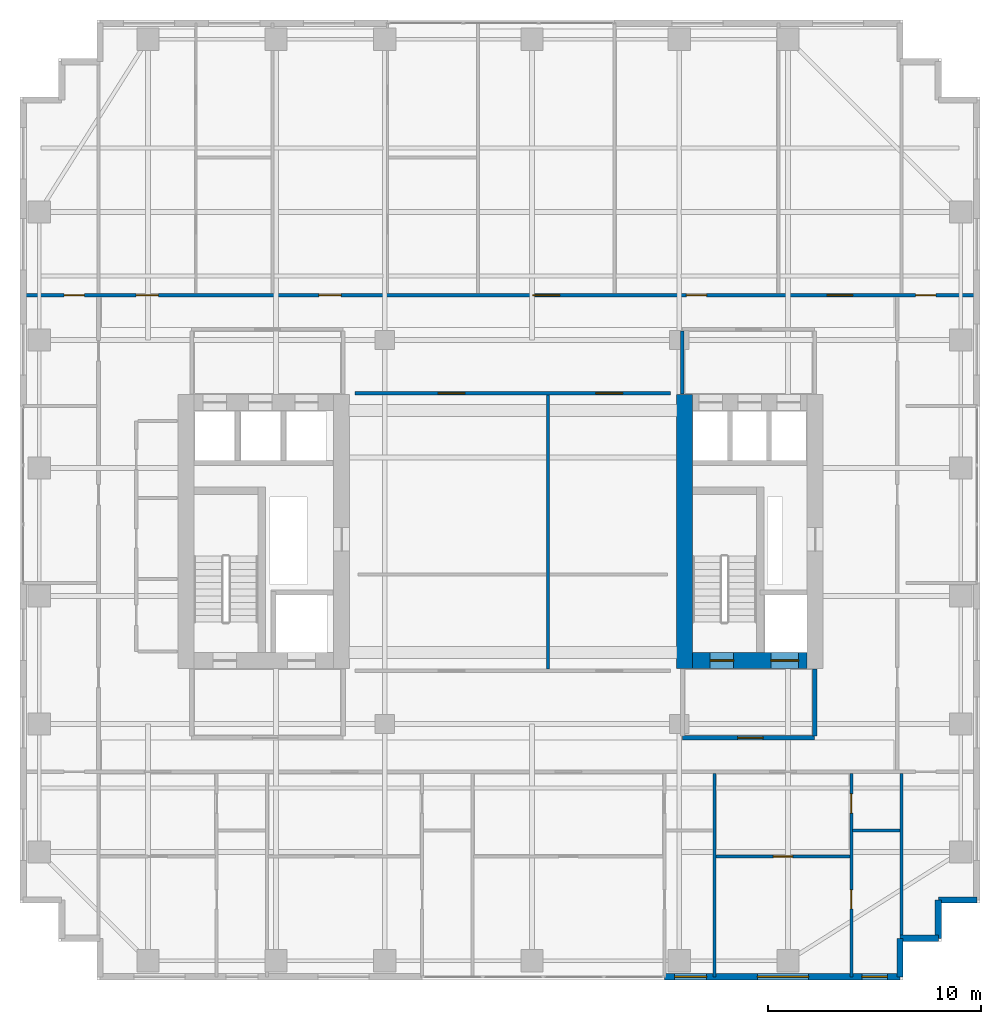
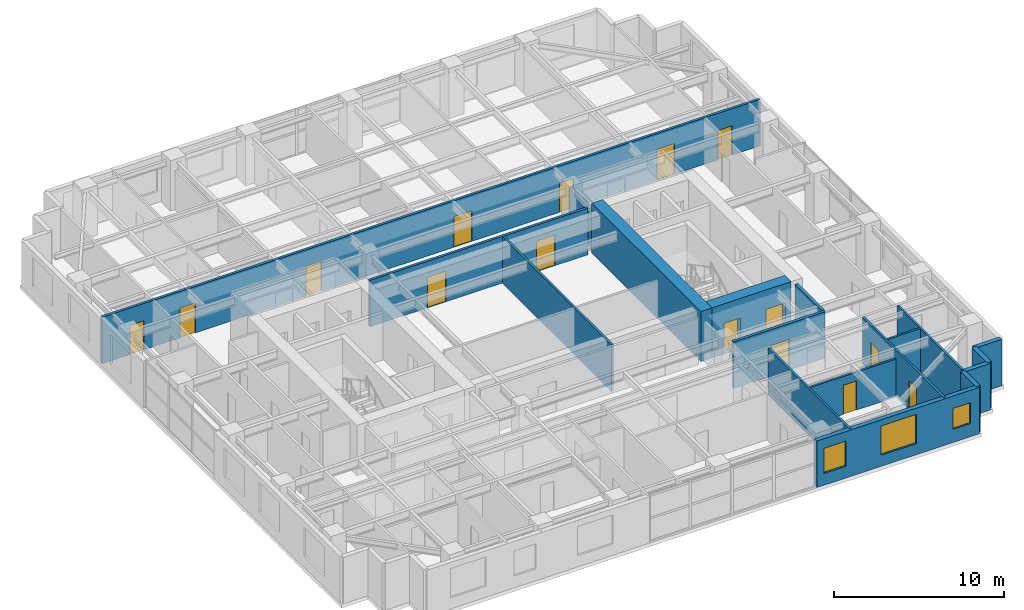
# One storey, part 14 of 20: 18 walls, 15 doors, 3 windows, 18 openings.
"""IFC4 building model written with IfcOpenShell, lengths in metres."""

from ifc_helpers import new_model, si_unit, direction, frame, frame_2d, origin, place, context, subcontext, project, spatial, rectangle, extrude, source, transform, mapped, material, layer, layer_set, type_object, element, fill, save


model = new_model("IFC4")

# Units and contexts
model_context = context("Model", 3, precision=1e-05, world=origin(), true_north=direction((0.0, 1.0)))
body_context = subcontext(model_context, "Body", "Model", "MODEL_VIEW")
ifc_project = project(units=[si_unit("LENGTHUNIT", "METRE"), si_unit("AREAUNIT", "SQUARE_METRE"), si_unit("VOLUMEUNIT", "CUBIC_METRE"), si_unit("PLANEANGLEUNIT", "RADIAN"), si_unit("MASSUNIT", "GRAM", prefix="KILO")], contexts=[model_context])

# Site, building, storey
site_placement = place(None, origin())
site = spatial("IfcSite", under=ifc_project, at=site_placement, CompositionType="ELEMENT")
building_placement = place(site_placement, origin())
building = spatial("IfcBuilding", under=site, at=building_placement, Name="Khoralis Quay Care Tower", CompositionType="ELEMENT")
storey_placement = place(building_placement, frame((0.0, 0.0, 116.10009765625)))
storey = spatial("IfcBuildingStorey", under=building, at=storey_placement, Name="L30", CompositionType="ELEMENT", Elevation=116.10009765625)

# Wall, opening, door
ifc_material_1 = material(Name="Gypsum plasterboard on acoustic metal stud")
ifc_layer_1 = layer(ifc_material_1, 0.199951171875)
ifc_layer_set_1 = layer_set([ifc_layer_1], Name="Gypsum plasterboard on acoustic metal stud")
wall_type_1 = type_object("IfcWallType", Name="WL-COMP-200", PredefinedType="PARTITIONING", material=ifc_layer_set_1)
wall_1_placement = place(storey_placement, frame((31.050048828125, 11.35009765625, 0.0), z_axis=(0.0, 0.0, 1.0), x_axis=(1.0, 0.0, 0.0)))
wall_1 = element("IfcWall", 1, at=wall_1_placement, inside=storey, type_object=wall_type_1, Name="L30 East Firefighting Lobby South Wall", PredefinedType="PARTITIONING", context=body_context, shape_type="SweptSolid", body=[
    extrude(rectangle(XDim=6.199951171875, YDim=0.199951171875, at=frame_2d((3.10009765625, 0.0))), origin(), (0.0, 0.0, 1.0), 3.33984375),
])
opening_1_placement = place(wall_1_placement, frame((2.585693359375, 0.0, 0.0)))
opening_1 = element("IfcOpeningElement", 2, at=opening_1_placement, cuts=wall_1, Name="Opening FD1", PredefinedType="OPENING", context=body_context, shape_type="SweptSolid", body=[
    extrude(rectangle(XDim=1.199951171875, YDim=2.199951171875, at=frame_2d((0.60009765625, 1.10009765625))), frame((0.0, 0.10986328125, 0.0), z_axis=(0.0, -1.0, 0.0), x_axis=(1.0, 0.0, 0.0)), (0.0, 0.0, 1.0), 0.219970703125),
])
ifc_material_2 = material(Name="Fire-rated painted steel", Category="steel")
door_type_1 = type_object("IfcDoorType", Name="DR-FFL-1200X2200", OperationType="NOTDEFINED", PredefinedType="DOOR", material=ifc_material_2)
shared_shape_1 = source(origin(), body_context, "Body", "SweptSolid", [
    extrude(rectangle(XDim=1.199951171875, YDim=2.199951171875, at=frame_2d((0.60009765625, 1.10009765625))), frame((0.0, 0.02490234375, 0.0), z_axis=(0.0, -1.0, 0.0), x_axis=(1.0, 0.0, 0.0)), (0.0, 0.0, 1.0), 0.050048828125),
])
door_1_placement = place(opening_1_placement, origin())
door_1 = element("IfcDoor", 3, at=door_1_placement, inside=storey, type_object=door_type_1, Name="L30 East Firefighting Lobby Fire Door", OperationType="SINGLE_SWING_LEFT", OverallHeight=2.199951171875, OverallWidth=1.199951171875, PredefinedType="DOOR", context=body_context, shape_type="MappedRepresentation", body=[
    mapped(shared_shape_1, transform((0.0, 0.0, 0.0), scale=1.0)),
])
fill(opening_1, door_1)

# Walls
wall_2_placement = place(storey_placement, frame((37.25, 11.445068359375, 0.0), z_axis=(0.0, 0.0, 1.0), x_axis=(0.0, 1.0, 0.0)))
element("IfcWall", 4, at=wall_2_placement, inside=storey, type_object=wall_type_1, Name="L30 East Firefighting Lobby East Wall", PredefinedType="PARTITIONING", context=body_context, shape_type="SweptSolid", body=[
    extrude(rectangle(XDim=3.135009765625, YDim=0.199951171875, at=frame_2d((1.5673828125, 0.0))), origin(), (0.0, 0.0, 1.0), 3.33984375),
])
ifc_material_3 = material(Name="Concrete C80/95", Category="concrete")
ifc_layer_2 = layer(ifc_material_3, 0.75)
ifc_layer_set_2 = layer_set([ifc_layer_2], Name="Concrete C80/95")
wall_type_2 = type_object("IfcWallType", Name="WL-CORE-750", PredefinedType="SHEAR", material=ifc_layer_set_2)
wall_3_placement = place(storey_placement, frame((31.14501953125, 14.60009765625, 0.0), z_axis=(0.0, 0.0, 1.0), x_axis=(0.0, 1.0, 0.0)))
element("IfcWall", 5, at=wall_3_placement, inside=storey, type_object=wall_type_2, Name="L30 ECORE West Shear Wall", PredefinedType="SHEAR", context=body_context, shape_type="SweptSolid", body=[
    extrude(rectangle(XDim=12.849853515625, YDim=0.75, at=frame_2d((6.4248046875, 0.0))), origin(), (0.0, 0.0, 1.0), 3.599853515625),
])

# Wall, openings, doors
wall_4_placement = place(storey_placement, frame((31.52001953125, 14.97509765625, 0.0), z_axis=(0.0, 0.0, 1.0), x_axis=(1.0, 0.0, 0.0)))
wall_4 = element("IfcWall", 6, at=wall_4_placement, inside=storey, type_object=wall_type_2, Name="L30 ECORE South Shear Wall", PredefinedType="SHEAR", context=body_context, shape_type="SweptSolid", body=[
    extrude(rectangle(XDim=5.3798828125, YDim=0.75, at=frame_2d((2.68994140625, 0.0))), origin(), (0.0, 0.0, 1.0), 3.599853515625),
])
opening_2_placement = place(wall_4_placement, frame((0.830078125, 0.0, 0.0)))
opening_2 = element("IfcOpeningElement", 7, at=opening_2_placement, cuts=wall_4, Name="Opening SD1", PredefinedType="OPENING", context=body_context, shape_type="SweptSolid", body=[
    extrude(rectangle(XDim=1.10009765625, YDim=2.199951171875, at=frame_2d((0.550048828125, 1.10009765625))), frame((0.0, 0.385009765625, 0.0), z_axis=(0.0, -1.0, 0.0), x_axis=(1.0, 0.0, 0.0)), (0.0, 0.0, 1.0), 0.77001953125),
])
opening_3_placement = place(wall_4_placement, frame((3.679931640625, 0.0, 0.0)))
opening_3 = element("IfcOpeningElement", 8, at=opening_3_placement, cuts=wall_4, Name="Opening LD2", PredefinedType="OPENING", context=body_context, shape_type="SweptSolid", body=[
    extrude(rectangle(XDim=1.300048828125, YDim=2.199951171875, at=frame_2d((0.64990234375, 1.10009765625))), frame((0.0, 0.385009765625, 0.0), z_axis=(0.0, -1.0, 0.0), x_axis=(1.0, 0.0, 0.0)), (0.0, 0.0, 1.0), 0.77001953125),
])
door_type_2 = type_object("IfcDoorType", Name="DR-STAIR-1100X2200", OperationType="NOTDEFINED", PredefinedType="DOOR", material=ifc_material_2)
shared_shape_2 = source(origin(), body_context, "Body", "SweptSolid", [
    extrude(rectangle(XDim=1.10009765625, YDim=2.199951171875, at=frame_2d((0.550048828125, 1.10009765625))), frame((0.0, 0.02490234375, 0.0), z_axis=(0.0, -1.0, 0.0), x_axis=(1.0, 0.0, 0.0)), (0.0, 0.0, 1.0), 0.050048828125),
])
door_2_placement = place(opening_2_placement, origin())
door_2 = element("IfcDoor", 9, at=door_2_placement, inside=storey, type_object=door_type_2, Name="L30 Stair ST-T2 Fire Door", OperationType="SINGLE_SWING_LEFT", OverallHeight=2.199951171875, OverallWidth=1.10009765625, PredefinedType="DOOR", context=body_context, shape_type="MappedRepresentation", body=[
    mapped(shared_shape_2, transform((0.0, 0.0, 0.0), scale=1.0)),
])
fill(opening_2, door_2)
ifc_material_4 = material(Name="Brushed stainless steel", Category="steel")
door_type_3 = type_object("IfcDoorType", Name="DR-LIFT-1300X2200", OperationType="SLIDING_TO_RIGHT", PredefinedType="DOOR", material=ifc_material_4)
shared_shape_3 = source(origin(), body_context, "Body", "SweptSolid", [
    extrude(rectangle(XDim=1.300048828125, YDim=2.199951171875, at=frame_2d((0.64990234375, 1.10009765625))), frame((0.0, 0.02490234375, 0.0), z_axis=(0.0, -1.0, 0.0), x_axis=(1.0, 0.0, 0.0)), (0.0, 0.0, 1.0), 0.050048828125),
])
door_3_placement = place(opening_3_placement, origin())
door_3 = element("IfcDoor", 10, at=door_3_placement, inside=storey, type_object=door_type_3, Name="L30 Firefighting Lift FFL-2 Landing Door", OperationType="SLIDING_TO_RIGHT", OverallHeight=2.199951171875, OverallWidth=1.300048828125, PredefinedType="DOOR", context=body_context, shape_type="MappedRepresentation", body=[
    mapped(shared_shape_3, transform((0.0, 0.0, 0.0), scale=1.0)),
])
fill(opening_3, door_3)

# Wall
ifc_layer_3 = layer(ifc_material_1, 0.1650390625)
ifc_layer_set_3 = layer_set([ifc_layer_3], Name="Gypsum plasterboard on acoustic metal stud")
wall_type_3 = type_object("IfcWallType", Name="WL-CORR-165", PredefinedType="PARTITIONING", material=ifc_layer_set_3)
wall_5_placement = place(storey_placement, frame((31.050048828125, 27.469970703125, 0.0), z_axis=(0.0, 0.0, 1.0), x_axis=(0.0, 1.0, 0.0)))
element("IfcWall", 11, at=wall_5_placement, inside=storey, type_object=wall_type_3, Name="L30 East Lift Lobby West Wall", PredefinedType="PARTITIONING", context=body_context, shape_type="SweptSolid", body=[
    extrude(rectangle(XDim=2.95263671875, YDim=0.1650390625, at=frame_2d((1.476318359375, 0.0))), origin(), (0.0, 0.0, 1.0), 2.7958984375),
])

# Wall, openings, doors
wall_6_placement = place(storey_placement, frame((0.14501953125, 32.10009765625, 0.0), z_axis=(0.0, 0.0, 1.0), x_axis=(1.0, 0.0, 0.0)))
wall_6 = element("IfcWall", 12, at=wall_6_placement, inside=storey, type_object=wall_type_3, Name="L30 North Main Corridor Wall", PredefinedType="PARTITIONING", context=body_context, shape_type="SweptSolid", body=[
    extrude(rectangle(XDim=44.7099609375, YDim=0.1650390625, at=frame_2d((22.35498046875, 0.0))), origin(), (0.0, 0.0, 1.0), 3.33984375),
])
opening_4_placement = place(wall_6_placement, frame((5.294921875, 0.0, 0.0)))
opening_4 = element("IfcOpeningElement", 13, at=opening_4_placement, cuts=wall_6, Name="Opening UD1", PredefinedType="OPENING", context=body_context, shape_type="SweptSolid", body=[
    extrude(rectangle(XDim=1.050048828125, YDim=2.14990234375, at=frame_2d((0.52490234375, 1.074951171875))), frame((0.0, 0.092529296875, 0.0), z_axis=(0.0, -1.0, 0.0), x_axis=(1.0, 0.0, 0.0)), (0.0, 0.0, 1.0), 0.18505859375),
])
opening_5_placement = place(wall_6_placement, frame((13.863525390625, 0.0, 0.0)))
opening_5 = element("IfcOpeningElement", 14, at=opening_5_placement, cuts=wall_6, Name="Opening UD1", PredefinedType="OPENING", context=body_context, shape_type="SweptSolid", body=[
    extrude(rectangle(XDim=1.050048828125, YDim=2.14990234375, at=frame_2d((0.52490234375, 1.074951171875))), frame((0.0, 0.092529296875, 0.0), z_axis=(0.0, -1.0, 0.0), x_axis=(1.0, 0.0, 0.0)), (0.0, 0.0, 1.0), 0.18505859375),
])
opening_6_placement = place(wall_6_placement, frame((23.89501953125, 0.0, 0.0)))
opening_6 = element("IfcOpeningElement", 15, at=opening_6_placement, cuts=wall_6, Name="Opening CD1", PredefinedType="OPENING", context=body_context, shape_type="SweptSolid", body=[
    extrude(rectangle(XDim=1.25, YDim=2.199951171875, at=frame_2d((0.625, 1.10009765625))), frame((0.0, 0.092529296875, 0.0), z_axis=(0.0, -1.0, 0.0), x_axis=(1.0, 0.0, 0.0)), (0.0, 0.0, 1.0), 0.18505859375),
])
opening_7_placement = place(wall_6_placement, frame((31.090087890625, 0.0, 0.0)))
opening_7 = element("IfcOpeningElement", 16, at=opening_7_placement, cuts=wall_6, Name="Opening ID1", PredefinedType="OPENING", context=body_context, shape_type="SweptSolid", body=[
    extrude(rectangle(XDim=0.949951171875, YDim=2.10009765625, at=frame_2d((0.47509765625, 1.050048828125))), frame((0.0, 0.092529296875, 0.0), z_axis=(0.0, -1.0, 0.0), x_axis=(1.0, 0.0, 0.0)), (0.0, 0.0, 1.0), 0.18505859375),
])
opening_8_placement = place(wall_6_placement, frame((37.68994140625, 0.0, 0.0)))
opening_8 = element("IfcOpeningElement", 17, at=opening_8_placement, cuts=wall_6, Name="Opening FD1", PredefinedType="OPENING", context=body_context, shape_type="SweptSolid", body=[
    extrude(rectangle(XDim=1.199951171875, YDim=2.199951171875, at=frame_2d((0.60009765625, 1.10009765625))), frame((0.0, 0.092529296875, 0.0), z_axis=(0.0, -1.0, 0.0), x_axis=(1.0, 0.0, 0.0)), (0.0, 0.0, 1.0), 0.18505859375),
])
opening_9_placement = place(wall_6_placement, frame((1.919921875, 0.0, 0.0)))
opening_9 = element("IfcOpeningElement", 18, at=opening_9_placement, cuts=wall_6, Name="Opening ID1", PredefinedType="OPENING", context=body_context, shape_type="SweptSolid", body=[
    extrude(rectangle(XDim=0.949951171875, YDim=2.10009765625, at=frame_2d((0.47509765625, 1.050048828125))), frame((0.0, 0.092529296875, 0.0), z_axis=(0.0, -1.0, 0.0), x_axis=(1.0, 0.0, 0.0)), (0.0, 0.0, 1.0), 0.18505859375),
])
opening_10_placement = place(wall_6_placement, frame((41.840087890625, 0.0, 0.0)))
opening_10 = element("IfcOpeningElement", 19, at=opening_10_placement, cuts=wall_6, Name="Opening ID1", PredefinedType="OPENING", context=body_context, shape_type="SweptSolid", body=[
    extrude(rectangle(XDim=0.949951171875, YDim=2.10009765625, at=frame_2d((0.47509765625, 1.050048828125))), frame((0.0, 0.092529296875, 0.0), z_axis=(0.0, -1.0, 0.0), x_axis=(1.0, 0.0, 0.0)), (0.0, 0.0, 1.0), 0.18505859375),
])
door_4_placement = place(opening_8_placement, origin())
door_4 = element("IfcDoor", 20, at=door_4_placement, inside=storey, type_object=door_type_1, Name="L30 Senior Wellness Pharmacy Shop Door", OperationType="DOUBLE_DOOR_SINGLE_SWING", OverallHeight=2.199951171875, OverallWidth=1.199951171875, PredefinedType="DOOR", context=body_context, shape_type="MappedRepresentation", body=[
    mapped(shared_shape_1, transform((0.0, 0.0, 0.0), scale=1.0)),
])
fill(opening_8, door_4)
ifc_material_5 = material(Name="Acoustic hardwood timber", Category="wood")
door_type_4 = type_object("IfcDoorType", Name="DR-CARE-1250X2200", OperationType="NOTDEFINED", PredefinedType="DOOR", material=ifc_material_5)
shared_shape_4 = source(origin(), body_context, "Body", "SweptSolid", [
    extrude(rectangle(XDim=1.25, YDim=2.199951171875, at=frame_2d((0.625, 1.10009765625))), frame((0.0, 0.02490234375, 0.0), z_axis=(0.0, -1.0, 0.0), x_axis=(1.0, 0.0, 0.0)), (0.0, 0.0, 1.0), 0.050048828125),
])
door_5_placement = place(opening_6_placement, origin())
door_5 = element("IfcDoor", 21, at=door_5_placement, inside=storey, type_object=door_type_4, Name="L30 Geriatric Consultation Clinic Door", OperationType="SINGLE_SWING_RIGHT", OverallHeight=2.199951171875, OverallWidth=1.25, PredefinedType="DOOR", context=body_context, shape_type="MappedRepresentation", body=[
    mapped(shared_shape_4, transform((0.0, 0.0, 0.0), scale=1.0)),
])
fill(opening_6, door_5)
door_type_5 = type_object("IfcDoorType", Name="DR-ROOM-950X2100", OperationType="NOTDEFINED", PredefinedType="DOOR", material=ifc_material_5)
shared_shape_5 = source(origin(), body_context, "Body", "SweptSolid", [
    extrude(rectangle(XDim=0.949951171875, YDim=2.10009765625, at=frame_2d((0.47509765625, 1.050048828125))), frame((0.0, 0.02490234375, 0.0), z_axis=(0.0, -1.0, 0.0), x_axis=(1.0, 0.0, 0.0)), (0.0, 0.0, 1.0), 0.050048828125),
])
door_6_placement = place(opening_7_placement, origin())
door_6 = element("IfcDoor", 22, at=door_6_placement, inside=storey, type_object=door_type_5, Name="L30 Family Case Conference Room Door", OperationType="SINGLE_SWING_RIGHT", OverallHeight=2.10009765625, OverallWidth=0.949951171875, PredefinedType="DOOR", context=body_context, shape_type="MappedRepresentation", body=[
    mapped(shared_shape_5, transform((0.0, 0.0, 0.0), scale=1.0)),
])
fill(opening_7, door_6)
door_7_placement = place(opening_9_placement, origin())
door_7 = element("IfcDoor", 23, at=door_7_placement, inside=storey, type_object=door_type_5, Name="L30 NW Corner Door", OperationType="SINGLE_SWING_RIGHT", OverallHeight=2.10009765625, OverallWidth=0.949951171875, PredefinedType="DOOR", context=body_context, shape_type="MappedRepresentation", body=[
    mapped(shared_shape_5, transform((0.0, 0.0, 0.0), scale=1.0)),
])
fill(opening_9, door_7)
door_8_placement = place(opening_10_placement, origin())
door_8 = element("IfcDoor", 24, at=door_8_placement, inside=storey, type_object=door_type_5, Name="L30 NE Corner Door", OperationType="SINGLE_SWING_LEFT", OverallHeight=2.10009765625, OverallWidth=0.949951171875, PredefinedType="DOOR", context=body_context, shape_type="MappedRepresentation", body=[
    mapped(shared_shape_5, transform((0.0, 0.0, 0.0), scale=1.0)),
])
fill(opening_10, door_8)
door_type_6 = type_object("IfcDoorType", Name="DR-SUITE-1050X2150", OperationType="NOTDEFINED", PredefinedType="DOOR", material=ifc_material_5)
shared_shape_6 = source(origin(), body_context, "Body", "SweptSolid", [
    extrude(rectangle(XDim=1.050048828125, YDim=2.14990234375, at=frame_2d((0.52490234375, 1.074951171875))), frame((0.0, 0.02490234375, 0.0), z_axis=(0.0, -1.0, 0.0), x_axis=(1.0, 0.0, 0.0)), (0.0, 0.0, 1.0), 0.050048828125),
])
door_9_placement = place(opening_4_placement, origin())
door_9 = element("IfcDoor", 25, at=door_9_placement, inside=storey, type_object=door_type_6, Name="L30 Studio NB0 Entrance", OperationType="SINGLE_SWING_RIGHT", OverallHeight=2.14990234375, OverallWidth=1.050048828125, PredefinedType="DOOR", context=body_context, shape_type="MappedRepresentation", body=[
    mapped(shared_shape_6, transform((0.0, 0.0, 0.0), scale=1.0)),
])
fill(opening_4, door_9)
door_10_placement = place(opening_5_placement, origin())
door_10 = element("IfcDoor", 26, at=door_10_placement, inside=storey, type_object=door_type_6, Name="L30 Studio NB1 Entrance", OperationType="SINGLE_SWING_LEFT", OverallHeight=2.14990234375, OverallWidth=1.050048828125, PredefinedType="DOOR", context=body_context, shape_type="MappedRepresentation", body=[
    mapped(shared_shape_6, transform((0.0, 0.0, 0.0), scale=1.0)),
])
fill(opening_5, door_10)

wall_7_placement = place(storey_placement, frame((15.699951171875, 27.5, 0.0), z_axis=(0.0, 0.0, 1.0), x_axis=(1.0, 0.0, 0.0)))
wall_7 = element("IfcWall", 27, at=wall_7_placement, inside=storey, type_object=wall_type_3, Name="L30 Central Clinical North Wall", PredefinedType="PARTITIONING", context=body_context, shape_type="SweptSolid", body=[
    extrude(rectangle(XDim=14.800048828125, YDim=0.1650390625, at=frame_2d((7.39990234375, 0.0))), origin(), (0.0, 0.0, 1.0), 3.33984375),
])
opening_11_placement = place(wall_7_placement, frame((3.89990234375, 0.0, 0.0)))
opening_11 = element("IfcOpeningElement", 28, at=opening_11_placement, cuts=wall_7, Name="Opening CD1", PredefinedType="OPENING", context=body_context, shape_type="SweptSolid", body=[
    extrude(rectangle(XDim=1.25, YDim=2.199951171875, at=frame_2d((0.625, 1.10009765625))), frame((0.0, 0.092529296875, 0.0), z_axis=(0.0, -1.0, 0.0), x_axis=(1.0, 0.0, 0.0)), (0.0, 0.0, 1.0), 0.18505859375),
])
opening_12_placement = place(wall_7_placement, frame((11.300048828125, 0.0, 0.0)))
opening_12 = element("IfcOpeningElement", 29, at=opening_12_placement, cuts=wall_7, Name="Opening CD1", PredefinedType="OPENING", context=body_context, shape_type="SweptSolid", body=[
    extrude(rectangle(XDim=1.25, YDim=2.199951171875, at=frame_2d((0.625, 1.10009765625))), frame((0.0, 0.092529296875, 0.0), z_axis=(0.0, -1.0, 0.0), x_axis=(1.0, 0.0, 0.0)), (0.0, 0.0, 1.0), 0.18505859375),
])
door_11_placement = place(opening_11_placement, frame((1.25, 0.0, 0.0), z_axis=(0.0, 0.0, 1.0), x_axis=(-1.0, 0.0, 0.0)))
door_11 = element("IfcDoor", 30, at=door_11_placement, inside=storey, type_object=door_type_4, Name="L30 Library Lounge Door", OperationType="SINGLE_SWING_LEFT", OverallHeight=2.199951171875, OverallWidth=1.25, PredefinedType="DOOR", context=body_context, shape_type="MappedRepresentation", body=[
    mapped(shared_shape_4, transform((0.0, 0.0, 0.0), scale=1.0)),
])
fill(opening_11, door_11)
door_12_placement = place(opening_12_placement, frame((1.25, 0.0, 0.0), z_axis=(0.0, 0.0, 1.0), x_axis=(-1.0, 0.0, 0.0)))
door_12 = element("IfcDoor", 31, at=door_12_placement, inside=storey, type_object=door_type_4, Name="L30 Occupational Therapy Door", OperationType="SINGLE_SWING_RIGHT", OverallHeight=2.199951171875, OverallWidth=1.25, PredefinedType="DOOR", context=body_context, shape_type="MappedRepresentation", body=[
    mapped(shared_shape_4, transform((0.0, 0.0, 0.0), scale=1.0)),
])
fill(opening_12, door_12)

# Wall, openings, windows
ifc_material_6 = material(Name="Precast concrete C45/55", Category="concrete")
ifc_layer_4 = layer(ifc_material_6, 0.300048828125)
ifc_layer_set_4 = layer_set([ifc_layer_4], Name="Precast concrete C45/55")
wall_type_4 = type_object("IfcWallType", Name="WL-EXT-REF-300", PredefinedType="SOLIDWALL", material=ifc_layer_set_4)
wall_8_placement = place(storey_placement, frame((30.2099609375, 0.14990234375, 0.0), z_axis=(0.0, 0.0, 1.0), x_axis=(1.0, 0.0, 0.0)))
wall_8 = element("IfcWall", 32, at=wall_8_placement, inside=storey, type_object=wall_type_4, Name="L30 External Facade Wall WL-EXT-L30-P1-E0B", PredefinedType="SOLIDWALL", context=body_context, shape_type="SweptSolid", body=[
    extrude(rectangle(XDim=11.0400390625, YDim=0.300048828125, at=frame_2d((5.52001953125, 0.0))), origin(), (0.0, 0.0, 1.0), 3.33984375),
])
opening_13_placement = place(wall_8_placement, frame((0.47509765625, 0.0, 0.85009765625)))
opening_13 = element("IfcOpeningElement", 33, at=opening_13_placement, cuts=wall_8, Name="Opening W3", PredefinedType="OPENING", context=body_context, shape_type="SweptSolid", body=[
    extrude(rectangle(XDim=1.5, YDim=1.800048828125, at=frame_2d((0.75, 0.89990234375))), frame((0.0, 0.16015625, 0.0), z_axis=(0.0, -1.0, 0.0), x_axis=(1.0, 0.0, 0.0)), (0.0, 0.0, 1.0), 0.320068359375),
])
opening_14_placement = place(wall_8_placement, frame((4.35498046875, 0.0, 0.800048828125)))
opening_14 = element("IfcOpeningElement", 34, at=opening_14_placement, cuts=wall_8, Name="Opening W1", PredefinedType="OPENING", context=body_context, shape_type="SweptSolid", body=[
    extrude(rectangle(XDim=2.39990234375, YDim=2.10009765625, at=frame_2d((1.199951171875, 1.050048828125))), frame((0.0, 0.16015625, 0.0), z_axis=(0.0, -1.0, 0.0), x_axis=(1.0, 0.0, 0.0)), (0.0, 0.0, 1.0), 0.320068359375),
])
opening_15_placement = place(wall_8_placement, frame((9.25, 0.0, 0.949951171875)))
opening_15 = element("IfcOpeningElement", 35, at=opening_15_placement, cuts=wall_8, Name="Opening W6", PredefinedType="OPENING", context=body_context, shape_type="SweptSolid", body=[
    extrude(rectangle(XDim=1.199951171875, YDim=1.5, at=frame_2d((0.60009765625, 0.75))), frame((0.0, 0.16015625, 0.0), z_axis=(0.0, -1.0, 0.0), x_axis=(1.0, 0.0, 0.0)), (0.0, 0.0, 1.0), 0.320068359375),
])
ifc_material_7 = material(Name="Low-E solar-control double glazing", Category="glass")
window_type_1 = type_object("IfcWindowType", Name="WN-CLIN-1500X1800", PartitioningType="SINGLE_PANEL", PredefinedType="WINDOW", material=ifc_material_7)
shared_shape_7 = source(origin(), body_context, "Body", "SweptSolid", [
    extrude(rectangle(XDim=1.5, YDim=1.800048828125, at=frame_2d((0.75, 0.89990234375))), frame((0.0, 0.030029296875, 0.0), z_axis=(0.0, -1.0, 0.0), x_axis=(1.0, 0.0, 0.0)), (0.0, 0.0, 1.0), 0.06005859375),
])
window_1_placement = place(opening_13_placement, origin())
window_1 = element("IfcWindow", 36, at=window_1_placement, inside=storey, type_object=window_type_1, Name="WN-L30-P1-E0B Facade Window 01", OverallHeight=1.800048828125, OverallWidth=1.5, PartitioningType="SINGLE_PANEL", PredefinedType="WINDOW", context=body_context, shape_type="MappedRepresentation", body=[
    mapped(shared_shape_7, transform((0.0, 0.0, 0.0), scale=1.0)),
])
fill(opening_13, window_1)
window_type_2 = type_object("IfcWindowType", Name="WN-POD-2400X2100", PartitioningType="SINGLE_PANEL", PredefinedType="WINDOW", material=ifc_material_7)
shared_shape_8 = source(origin(), body_context, "Body", "SweptSolid", [
    extrude(rectangle(XDim=2.39990234375, YDim=2.10009765625, at=frame_2d((1.199951171875, 1.050048828125))), frame((0.0, 0.030029296875, 0.0), z_axis=(0.0, -1.0, 0.0), x_axis=(1.0, 0.0, 0.0)), (0.0, 0.0, 1.0), 0.06005859375),
])
window_2_placement = place(opening_14_placement, origin())
window_2 = element("IfcWindow", 37, at=window_2_placement, inside=storey, type_object=window_type_2, Name="WN-L30-P1-E0B Facade Window 02", OverallHeight=2.10009765625, OverallWidth=2.39990234375, PartitioningType="SINGLE_PANEL", PredefinedType="WINDOW", context=body_context, shape_type="MappedRepresentation", body=[
    mapped(shared_shape_8, transform((0.0, 0.0, 0.0), scale=1.0)),
])
fill(opening_14, window_2)
window_type_3 = type_object("IfcWindowType", Name="WN-SCH-1200X1500", PartitioningType="SINGLE_PANEL", PredefinedType="WINDOW", material=ifc_material_7)
shared_shape_9 = source(origin(), body_context, "Body", "SweptSolid", [
    extrude(rectangle(XDim=1.199951171875, YDim=1.5, at=frame_2d((0.60009765625, 0.75))), frame((0.0, 0.030029296875, 0.0), z_axis=(0.0, -1.0, 0.0), x_axis=(1.0, 0.0, 0.0)), (0.0, 0.0, 1.0), 0.06005859375),
])
window_3_placement = place(opening_15_placement, origin())
window_3 = element("IfcWindow", 38, at=window_3_placement, inside=storey, type_object=window_type_3, Name="WN-L30-P1-E0B Facade Window 03", OverallHeight=1.5, OverallWidth=1.199951171875, PartitioningType="SINGLE_PANEL", PredefinedType="WINDOW", context=body_context, shape_type="MappedRepresentation", body=[
    mapped(shared_shape_9, transform((0.0, 0.0, 0.0), scale=1.0)),
])
fill(opening_15, window_3)

# Walls
for number, where, z_axis, x_axis, name in (
    (39, (41.25, 0.14990234375, 0.0), (0.0, 0.0, 1.0), (0.0, 1.0, 0.0), "L30 External Facade Wall WL-EXT-L30-P1-C1"),
    (40, (41.25, 1.949951171875, 0.0), (0.0, 0.0, 1.0), (1.0, 0.0, 0.0), "L30 External Facade Wall WL-EXT-L30-P1-C2"),
    (41, (43.050048828125, 1.949951171875, 0.0), (0.0, 0.0, 1.0), (0.0, 1.0, 0.0), "L30 External Facade Wall WL-EXT-L30-P1-C3"),
    (42, (43.050048828125, 3.75, 0.0), (0.0, 0.0, 1.0), (1.0, 0.0, 0.0), "L30 External Facade Wall WL-EXT-L30-P1-C4"),
):
    element("IfcWall", number, at=place(storey_placement, frame(where, z_axis=z_axis, x_axis=x_axis)), inside=storey, type_object=wall_type_4, Name=name, PredefinedType="SOLIDWALL", context=body_context, shape_type="SweptSolid", body=[
        extrude(rectangle(XDim=1.800048828125, YDim=0.300048828125, at=frame_2d((0.89990234375, 0.0))), origin(), (0.0, 0.0, 1.0), 3.33984375),
    ])

# Wall, openings, doors
ifc_material_8 = material(Name="Moisture-resistant gypsum and ceramic tile")
ifc_layer_5 = layer(ifc_material_8, 0.280029296875)
ifc_layer_set_5 = layer_set([ifc_layer_5], Name="Moisture-resistant gypsum and ceramic tile")
wall_type_5 = type_object("IfcWallType", Name="WL-PLUMB-280", PredefinedType="PLUMBINGWALL", material=ifc_layer_set_5)
wall_9_placement = place(storey_placement, frame((38.969970703125, 0.14501953125, 0.0), z_axis=(0.0, 0.0, 1.0), x_axis=(0.0, 1.0, 0.0)))
wall_9 = element("IfcWall", 43, at=wall_9_placement, inside=storey, type_object=wall_type_5, Name="L30 Care Suite 3 En-Suite Wall V", PredefinedType="PLUMBINGWALL", context=body_context, shape_type="SweptSolid", body=[
    extrude(rectangle(XDim=9.53759765625, YDim=0.139892578125, at=frame_2d((4.768798828125, 0.0))), origin(), (0.0, 0.0, 1.0), 3.33984375),
])
opening_16_placement = place(wall_9_placement, frame((7.675048828125, 0.0, 0.0)))
opening_16 = element("IfcOpeningElement", 44, at=opening_16_placement, cuts=wall_9, Name="Opening WD1", PredefinedType="OPENING", context=body_context, shape_type="SweptSolid", body=[
    extrude(rectangle(XDim=0.89990234375, YDim=2.10009765625, at=frame_2d((0.449951171875, 1.050048828125))), frame((0.0, 0.080078125, 0.0), z_axis=(0.0, -1.0, 0.0), x_axis=(1.0, 0.0, 0.0)), (0.0, 0.0, 1.0), 0.159912109375),
])
opening_17_placement = place(wall_9_placement, frame((3.18505859375, 0.0, 0.0)))
opening_17 = element("IfcOpeningElement", 45, at=opening_17_placement, cuts=wall_9, Name="Opening WD1", PredefinedType="OPENING", context=body_context, shape_type="SweptSolid", body=[
    extrude(rectangle(XDim=0.89990234375, YDim=2.10009765625, at=frame_2d((0.449951171875, 1.050048828125))), frame((0.0, 0.080078125, 0.0), z_axis=(0.0, -1.0, 0.0), x_axis=(1.0, 0.0, 0.0)), (0.0, 0.0, 1.0), 0.159912109375),
])
door_type_7 = type_object("IfcDoorType", Name="DR-BATH-900X2100", OperationType="NOTDEFINED", PredefinedType="DOOR", material=ifc_material_5)
shared_shape_10 = source(origin(), body_context, "Body", "SweptSolid", [
    extrude(rectangle(XDim=0.89990234375, YDim=2.10009765625, at=frame_2d((0.449951171875, 1.050048828125))), frame((0.0, 0.02490234375, 0.0), z_axis=(0.0, -1.0, 0.0), x_axis=(1.0, 0.0, 0.0)), (0.0, 0.0, 1.0), 0.050048828125),
])
door_13_placement = place(opening_16_placement, frame((0.89990234375, 0.0, 0.0), z_axis=(0.0, 0.0, 1.0), x_axis=(-1.0, 0.0, 0.0)))
door_13 = element("IfcDoor", 46, at=door_13_placement, inside=storey, type_object=door_type_7, Name="L30 Care CENS Door", OperationType="SINGLE_SWING_RIGHT", OverallHeight=2.10009765625, OverallWidth=0.89990234375, PredefinedType="DOOR", context=body_context, shape_type="MappedRepresentation", body=[
    mapped(shared_shape_10, transform((0.0, 0.0, 0.0), scale=1.0)),
])
fill(opening_16, door_13)
door_14_placement = place(opening_17_placement, frame((0.89990234375, 0.0, 0.0), z_axis=(0.0, 0.0, 1.0), x_axis=(-1.0, 0.0, 0.0)))
door_14 = element("IfcDoor", 47, at=door_14_placement, inside=storey, type_object=door_type_7, Name="L30 Care CSIT Door", OperationType="SINGLE_SWING_LEFT", OverallHeight=2.10009765625, OverallWidth=0.89990234375, PredefinedType="DOOR", context=body_context, shape_type="MappedRepresentation", body=[
    mapped(shared_shape_10, transform((0.0, 0.0, 0.0), scale=1.0)),
])
fill(opening_17, door_14)

# Walls
wall_10_placement = place(storey_placement, frame((39.034912109375, 7.010009765625, 0.0), z_axis=(0.0, 0.0, 1.0), x_axis=(1.0, 0.0, 0.0)))
element("IfcWall", 48, at=wall_10_placement, inside=storey, type_object=wall_type_5, Name="L30 Care Suite 3 En-Suite Wall H", PredefinedType="PLUMBINGWALL", context=body_context, shape_type="SweptSolid", body=[
    extrude(rectangle(XDim=2.219970703125, YDim=0.139892578125, at=frame_2d((1.10986328125, 0.0))), origin(), (0.0, 0.0, 1.0), 3.33984375),
])
ifc_layer_6 = layer(ifc_material_1, 0.139892578125)
ifc_layer_set_6 = layer_set([ifc_layer_6], Name="Gypsum plasterboard on acoustic metal stud")
wall_type_6 = type_object("IfcWallType", Name="WL-UNIT-140", PredefinedType="PARTITIONING", material=ifc_layer_set_6)
wall_11_placement = place(storey_placement, frame((24.75, 14.577392578125, 0.0), z_axis=(0.0, 0.0, 1.0), x_axis=(0.0, 1.0, 0.0)))
element("IfcWall", 49, at=wall_11_placement, inside=storey, type_object=wall_type_6, Name="L30 Central Split V", PredefinedType="PARTITIONING", context=body_context, shape_type="SweptSolid", body=[
    extrude(rectangle(XDim=12.84521484375, YDim=0.139892578125, at=frame_2d((6.422607421875, 0.0))), origin(), (0.0, 0.0, 1.0), 3.33984375),
])
wall_12_placement = place(storey_placement, frame((32.56005859375, 0.14501953125, 0.0), z_axis=(0.0, 0.0, 1.0), x_axis=(0.0, 1.0, 0.0)))
element("IfcWall", 50, at=wall_12_placement, inside=storey, type_object=wall_type_6, Name="L30 SB Demising Wall 3", PredefinedType="PARTITIONING", context=body_context, shape_type="SweptSolid", body=[
    extrude(rectangle(XDim=9.53759765625, YDim=0.139892578125, at=frame_2d((4.768798828125, 0.0))), origin(), (0.0, 0.0, 1.0), 3.33984375),
])
wall_13_placement = place(storey_placement, frame((41.320068359375, 1.945068359375, 0.0), z_axis=(0.0, 0.0, 1.0), x_axis=(0.0, 1.0, 0.0)))
element("IfcWall", 51, at=wall_13_placement, inside=storey, type_object=wall_type_6, Name="L30 SB Demising Wall 4", PredefinedType="PARTITIONING", context=body_context, shape_type="SweptSolid", body=[
    extrude(rectangle(XDim=7.737548828125, YDim=0.139892578125, at=frame_2d((3.86865234375, 0.0))), origin(), (0.0, 0.0, 1.0), 3.33984375),
])

# Wall, opening, door
wall_14_placement = place(storey_placement, frame((32.625, 5.7900390625, 0.0), z_axis=(0.0, 0.0, 1.0), x_axis=(1.0, 0.0, 0.0)))
wall_14 = element("IfcWall", 52, at=wall_14_placement, inside=storey, type_object=wall_type_6, Name="Skilled Care Bedroom L30-SB3 Sub-Partition", PredefinedType="PARTITIONING", context=body_context, shape_type="SweptSolid", body=[
    extrude(rectangle(XDim=6.280029296875, YDim=0.139892578125, at=frame_2d((3.14013671875, 0.0))), origin(), (0.0, 0.0, 1.0), 2.722900390625),
])
opening_18_placement = place(wall_14_placement, frame((2.68994140625, 0.0, 0.0)))
opening_18 = element("IfcOpeningElement", 53, at=opening_18_placement, cuts=wall_14, Name="Opening WD1", PredefinedType="OPENING", context=body_context, shape_type="SweptSolid", body=[
    extrude(rectangle(XDim=0.89990234375, YDim=2.10009765625, at=frame_2d((0.449951171875, 1.050048828125))), frame((0.0, 0.080078125, 0.0), z_axis=(0.0, -1.0, 0.0), x_axis=(1.0, 0.0, 0.0)), (0.0, 0.0, 1.0), 0.159912109375),
])
door_15_placement = place(opening_18_placement, origin())
door_15 = element("IfcDoor", 54, at=door_15_placement, inside=storey, type_object=door_type_7, Name="Private Study & Reading Alcove ARE3 Door", OperationType="SINGLE_SWING_LEFT", OverallHeight=2.10009765625, OverallWidth=0.89990234375, PredefinedType="DOOR", context=body_context, shape_type="MappedRepresentation", body=[
    mapped(shared_shape_10, transform((0.0, 0.0, 0.0), scale=1.0)),
])
fill(opening_18, door_15)

save(model, "model.ifc")
